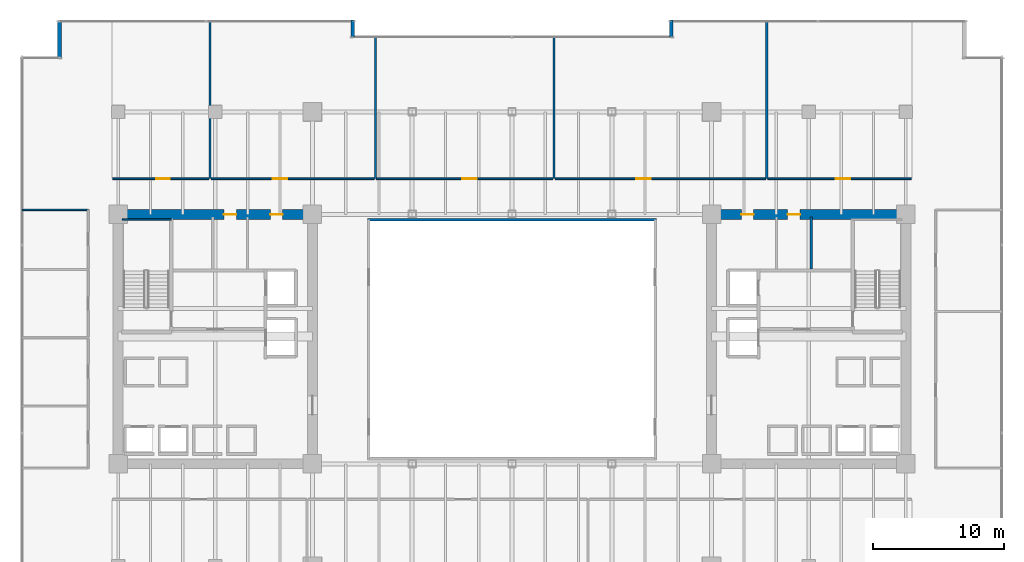
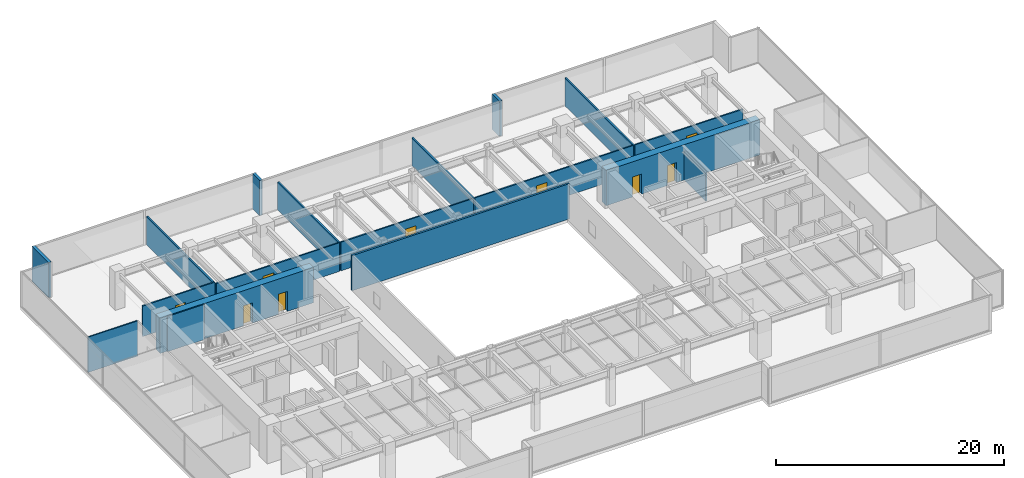
# One storey, part 31 of 36: 18 walls, 9 doors, 9 openings.
"""IFC4 building model written with IfcOpenShell, lengths in metres."""

from ifc_helpers import new_model, si_unit, direction, frame, frame_2d, origin, place, context, subcontext, project, spatial, rectangle, extrude, source, transform, mapped, material, layer, layer_set, type_object, type_shapes, element, fill, save


model = new_model("IFC4")

# Units and contexts
model_context = context("Model", 3, precision=1e-05, world=origin(), true_north=direction((0.0, 1.0)))
body_context = subcontext(model_context, "Body", "Model", "MODEL_VIEW")
ifc_project = project(units=[si_unit("LENGTHUNIT", "METRE"), si_unit("AREAUNIT", "SQUARE_METRE"), si_unit("VOLUMEUNIT", "CUBIC_METRE"), si_unit("PLANEANGLEUNIT", "RADIAN"), si_unit("MASSUNIT", "GRAM", prefix="KILO")], contexts=[model_context])

# Site, building, storey
site_placement = place(None, origin())
site = spatial("IfcSite", under=ifc_project, at=site_placement, CompositionType="ELEMENT")
building_placement = place(site_placement, origin())
building = spatial("IfcBuilding", under=site, at=building_placement, Name="Haelvirn Gate Laboratories", CompositionType="ELEMENT")
storey_placement = place(building_placement, frame((0.0, 0.0, 53.89990234375)))
storey = spatial("IfcBuildingStorey", under=building, at=storey_placement, Name="L13", CompositionType="ELEMENT", Elevation=53.89990234375)

# Walls
ifc_material_1 = material(Name="Thermally-broken bronze aluminium rainscreen & mineral wool", Category="aluminium")
ifc_layer_1 = layer(ifc_material_1, 0.280029296875, Name="EW-TERR-280")
ifc_layer_set_1 = layer_set([ifc_layer_1], Name="Thermally-broken bronze aluminium rainscreen & mineral wool")
wall_type_1 = type_object("IfcWallType", Name="EW-TERR-280", PredefinedType="STANDARD", material=ifc_layer_set_1)
for number, where, z_axis, x_axis, name in (
    (1, (49.5400390625, 48.60009765625, 0.0), (0.0, 0.0, 1.0), (0.0, -1.0, 0.0), "L13 Atrium Recess Bronze Return Wall 11"),
    (2, (25.260009765625, 47.31201171875, 0.0), (0.0, 0.0, 1.0), (0.0, 1.0, 0.0), "L13 Atrium Recess Bronze Return Wall 13"),
):
    element("IfcWall", number, at=place(storey_placement, frame(where, z_axis=z_axis, x_axis=x_axis)), inside=storey, type_object=wall_type_1, Name=name, PredefinedType="STANDARD", context=body_context, shape_type="SweptSolid", body=[
        extrude(rectangle(XDim=1.2880859375, YDim=0.280029296875, at=frame_2d((0.64404296875, 0.0))), origin(), (0.0, 0.0, 1.0), 3.780029296875),
    ])
wall_1_placement = place(storey_placement, frame((2.93994140625, 48.60009765625, 0.0), z_axis=(0.0, 0.0, 1.0), x_axis=(0.0, -1.0, 0.0)))
element("IfcWall", 3, at=wall_1_placement, inside=storey, type_object=wall_type_1, Name="L13 Atrium Recess Bronze Return Wall 15", PredefinedType="STANDARD", context=body_context, shape_type="SweptSolid", body=[
    extrude(rectangle(XDim=2.88818359375, YDim=0.280029296875, at=frame_2d((1.444091796875, 0.0))), origin(), (0.0, 0.0, 1.0), 3.780029296875),
])
ifc_material_2 = material(Name="Double-layer acoustic gypsum laboratory partition", Category="gypsum")
ifc_layer_2 = layer(ifc_material_2, 0.159912109375, Name="IW-ACOUST-160")
ifc_layer_set_2 = layer_set([ifc_layer_2], Name="Double-layer acoustic gypsum laboratory partition")
wall_type_2 = type_object("IfcWallType", Name="IW-ACOUST-160", PredefinedType="PARTITIONING", material=ifc_layer_set_2)
wall_2_placement = place(storey_placement, frame((14.39990234375, 36.510009765625, 0.0), z_axis=(0.0, 0.0, 1.0), x_axis=(0.0, 1.0, 0.0)))
element("IfcWall", 4, at=wall_2_placement, inside=storey, type_object=wall_type_2, Name="L13 Interior Wall IW-L13-NDIV-01", PredefinedType="PARTITIONING", context=body_context, shape_type="SweptSolid", body=[
    extrude(rectangle(XDim=11.97998046875, YDim=0.159912109375, at=frame_2d((5.989990234375, 0.0))), origin(), (0.0, 0.0, 1.0), 3.01513671875),
])
for number, where, z_axis, x_axis, name in (
    (5, (27.0, 36.510009765625, 0.0), (0.0, 0.0, 1.0), (0.0, 1.0, 0.0), "L13 Interior Wall IW-L13-NDIV-02"),
    (6, (40.60009765625, 36.510009765625, 0.0), (0.0, 0.0, 1.0), (0.0, 1.0, 0.0), "L13 Interior Wall IW-L13-NDIV-03"),
):
    element("IfcWall", number, at=place(storey_placement, frame(where, z_axis=z_axis, x_axis=x_axis)), inside=storey, type_object=wall_type_2, Name=name, PredefinedType="PARTITIONING", context=body_context, shape_type="SweptSolid", body=[
        extrude(rectangle(XDim=10.780029296875, YDim=0.159912109375, at=frame_2d((5.39013671875, 0.0))), origin(), (0.0, 0.0, 1.0), 3.01513671875),
    ])
wall_3_placement = place(storey_placement, frame((56.800048828125, 36.510009765625, 0.0), z_axis=(0.0, 0.0, 1.0), x_axis=(0.0, 1.0, 0.0)))
element("IfcWall", 7, at=wall_3_placement, inside=storey, type_object=wall_type_2, Name="L13 Interior Wall IW-L13-NDIV-04", PredefinedType="PARTITIONING", context=body_context, shape_type="SweptSolid", body=[
    extrude(rectangle(XDim=11.97998046875, YDim=0.159912109375, at=frame_2d((5.989990234375, 0.0))), origin(), (0.0, 0.0, 1.0), 3.01513671875),
])
ifc_material_3 = material(Name="Tempered fire-rated borosilicate glass & anodised aluminium", Category="aluminium")
ifc_layer_3 = layer(ifc_material_3, 0.195068359375, Name="IW-GLAZ-200")
ifc_layer_set_3 = layer_set([ifc_layer_3], Name="Tempered fire-rated borosilicate glass & anodised aluminium")
wall_type_3 = type_object("IfcWallType", Name="IW-GLAZ-200", PredefinedType="SOLIDWALL", material=ifc_layer_set_3)
wall_4_placement = place(storey_placement, frame((26.39990234375, 33.39990234375, 0.0), z_axis=(0.0, 0.0, 1.0), x_axis=(1.0, 0.0, 0.0)))
element("IfcWall", 8, at=wall_4_placement, inside=storey, type_object=wall_type_3, Name="L13 Interior Wall IW-L13-ATRIUM-N", PredefinedType="SOLIDWALL", context=body_context, shape_type="SweptSolid", body=[
    extrude(rectangle(XDim=22.0, YDim=0.195068359375, at=frame_2d((11.0, 0.0))), origin(), (0.0, 0.0, 1.0), 3.780029296875),
])
ifc_material_4 = material(Name="Lightweight acoustic gypsum board partition", Category="gypsum")
ifc_layer_4 = layer(ifc_material_4, 0.1201171875, Name="IW-PART-120")
ifc_layer_set_4 = layer_set([ifc_layer_4], Name="Lightweight acoustic gypsum board partition")
wall_type_4 = type_object("IfcWallType", Name="IW-PART-120", PredefinedType="PARTITIONING", material=ifc_layer_set_4)
wall_5_placement = place(storey_placement, frame((0.110107421875, 34.135009765625, 0.0), z_axis=(0.0, 0.0, 1.0), x_axis=(1.0, 0.0, 0.0)))
element("IfcWall", 9, at=wall_5_placement, inside=storey, type_object=wall_type_4, Name="L13 Interior Wall IW-L13-WCAP-N", PredefinedType="PARTITIONING", context=body_context, shape_type="SweptSolid", body=[
    extrude(rectangle(XDim=5.019775390625, YDim=0.1201171875, at=frame_2d((2.509765625, 0.0))), origin(), (0.0, 0.0, 1.0), 3.780029296875),
])

# Wall, opening, door
ifc_material_5 = material(Name="Acoustic mineral-wool gypsum board partition", Category="gypsum")
ifc_layer_5 = layer(ifc_material_5, 0.139892578125, Name="IW-PART-140")
ifc_layer_set_5 = layer_set([ifc_layer_5], Name="Acoustic mineral-wool gypsum board partition")
wall_type_5 = type_object("IfcWallType", Name="IW-PART-140", PredefinedType="PARTITIONING", material=ifc_layer_set_5)
wall_6_placement = place(storey_placement, frame((6.97998046875, 36.510009765625, 0.0), z_axis=(0.0, 0.0, 1.0), x_axis=(1.0, 0.0, 0.0)))
wall_6 = element("IfcWall", 10, at=wall_6_placement, inside=storey, type_object=wall_type_5, Name="L13 Interior Wall IW-L13-NCORR-01", PredefinedType="PARTITIONING", context=body_context, shape_type="SweptSolid", body=[
    extrude(rectangle(XDim=7.340087890625, YDim=0.139892578125, at=frame_2d((3.669921875, 0.0))), origin(), (0.0, 0.0, 1.0), 3.26513671875),
])
opening_1_placement = place(wall_6_placement, frame((3.339111328125, 0.0, 0.0)))
opening_1 = element("IfcOpeningElement", 11, at=opening_1_placement, cuts=wall_6, Name="Opening D2", PredefinedType="OPENING", context=body_context, shape_type="SweptSolid", body=[
    extrude(rectangle(XDim=1.0, YDim=2.14990234375, at=frame_2d((0.5, 1.074951171875))), frame((0.0, 0.080078125, 0.0), z_axis=(0.0, -1.0, 0.0), x_axis=(1.0, 0.0, 0.0)), (0.0, 0.0, 1.0), 0.159912109375),
])
ifc_material_6 = material(Name="Acoustic solid-core timber suite door", Category="wood")
door_type_1 = type_object("IfcDoorType", Name="DR-INT-1000", OperationType="NOTDEFINED", PredefinedType="DOOR", material=ifc_material_6)
shared_shape_1 = source(origin(), body_context, "Body", "SweptSolid", [
    extrude(rectangle(XDim=1.0, YDim=2.14990234375, at=frame_2d((0.5, 1.074951171875))), frame((0.0, 0.02490234375, 0.0), z_axis=(0.0, -1.0, 0.0), x_axis=(1.0, 0.0, 0.0)), (0.0, 0.0, 1.0), 0.050048828125),
])
type_shapes(door_type_1, [shared_shape_1])
door_1_placement = place(opening_1_placement, origin())
door_1 = element("IfcDoor", 12, at=door_1_placement, inside=storey, type_object=door_type_1, Name="L13 Floor Hydration & Tea Servery Door N1", OperationType="SINGLE_SWING_LEFT", OverallHeight=2.14990234375, OverallWidth=1.0, PredefinedType="DOOR", context=body_context, shape_type="MappedRepresentation", body=[
    mapped(shared_shape_1, transform((0.0, 0.0, 0.0), scale=1.0)),
])
fill(opening_1, door_1)

wall_7_placement = place(storey_placement, frame((14.47998046875, 36.510009765625, 0.0), z_axis=(0.0, 0.0, 1.0), x_axis=(1.0, 0.0, 0.0)))
wall_7 = element("IfcWall", 13, at=wall_7_placement, inside=storey, type_object=wall_type_5, Name="L13 Interior Wall IW-L13-NCORR-02", PredefinedType="PARTITIONING", context=body_context, shape_type="SweptSolid", body=[
    extrude(rectangle(XDim=12.43994140625, YDim=0.139892578125, at=frame_2d((6.219970703125, 0.0))), origin(), (0.0, 0.0, 1.0), 3.065185546875),
])
opening_2_placement = place(wall_7_placement, frame((4.71240234375, 0.0, 0.0)))
opening_2 = element("IfcOpeningElement", 14, at=opening_2_placement, cuts=wall_7, Name="Opening D1", PredefinedType="OPENING", context=body_context, shape_type="SweptSolid", body=[
    extrude(rectangle(XDim=1.10009765625, YDim=2.179931640625, at=frame_2d((0.550048828125, 1.08984375))), frame((0.0, 0.080078125, 0.0), z_axis=(0.0, -1.0, 0.0), x_axis=(1.0, 0.0, 0.0)), (0.0, 0.0, 1.0), 0.159912109375),
])
ifc_material_7 = material(Name="Vision-panel acoustic solid-core timber lab door", Category="wood")
door_type_2 = type_object("IfcDoorType", Name="DR-LAB-1100", OperationType="NOTDEFINED", PredefinedType="DOOR", material=ifc_material_7)
shared_shape_2 = source(origin(), body_context, "Body", "SweptSolid", [
    extrude(rectangle(XDim=1.10009765625, YDim=2.179931640625, at=frame_2d((0.550048828125, 1.08984375))), frame((0.0, 0.02490234375, 0.0), z_axis=(0.0, -1.0, 0.0), x_axis=(1.0, 0.0, 0.0)), (0.0, 0.0, 1.0), 0.050048828125),
])
type_shapes(door_type_2, [shared_shape_2])
door_2_placement = place(opening_2_placement, origin())
door_2 = element("IfcDoor", 15, at=door_2_placement, inside=storey, type_object=door_type_2, Name="L13 Occupational Biosafety Clinic Door N2", OperationType="SINGLE_SWING_RIGHT", OverallHeight=2.179931640625, OverallWidth=1.10009765625, PredefinedType="DOOR", context=body_context, shape_type="MappedRepresentation", body=[
    mapped(shared_shape_2, transform((0.0, 0.0, 0.0), scale=1.0)),
])
fill(opening_2, door_2)

wall_8_placement = place(storey_placement, frame((27.080078125, 36.510009765625, 0.0), z_axis=(0.0, 0.0, 1.0), x_axis=(1.0, 0.0, 0.0)))
wall_8 = element("IfcWall", 16, at=wall_8_placement, inside=storey, type_object=wall_type_5, Name="L13 Interior Wall IW-L13-NCORR-03", PredefinedType="PARTITIONING", context=body_context, shape_type="SweptSolid", body=[
    extrude(rectangle(XDim=13.43994140625, YDim=0.139892578125, at=frame_2d((6.719970703125, 0.0))), origin(), (0.0, 0.0, 1.0), 3.065185546875),
])
opening_3_placement = place(wall_8_placement, frame((6.519287109375, 0.0, 0.0)))
opening_3 = element("IfcOpeningElement", 17, at=opening_3_placement, cuts=wall_8, Name="Opening D1", PredefinedType="OPENING", context=body_context, shape_type="SweptSolid", body=[
    extrude(rectangle(XDim=1.10009765625, YDim=2.179931640625, at=frame_2d((0.550048828125, 1.08984375))), frame((0.0, 0.080078125, 0.0), z_axis=(0.0, -1.0, 0.0), x_axis=(1.0, 0.0, 0.0)), (0.0, 0.0, 1.0), 0.159912109375),
])
door_3_placement = place(opening_3_placement, origin())
door_3 = element("IfcDoor", 18, at=door_3_placement, inside=storey, type_object=door_type_2, Name="L13 Laser-Safety Consult Room Door N3", OperationType="SINGLE_SWING_LEFT", OverallHeight=2.179931640625, OverallWidth=1.10009765625, PredefinedType="DOOR", context=body_context, shape_type="MappedRepresentation", body=[
    mapped(shared_shape_2, transform((0.0, 0.0, 0.0), scale=1.0)),
])
fill(opening_3, door_3)

wall_9_placement = place(storey_placement, frame((40.679931640625, 36.510009765625, 0.0), z_axis=(0.0, 0.0, 1.0), x_axis=(1.0, 0.0, 0.0)))
wall_9 = element("IfcWall", 19, at=wall_9_placement, inside=storey, type_object=wall_type_5, Name="L13 Interior Wall IW-L13-NCORR-04", PredefinedType="PARTITIONING", context=body_context, shape_type="SweptSolid", body=[
    extrude(rectangle(XDim=16.0400390625, YDim=0.139892578125, at=frame_2d((8.02001953125, 0.0))), origin(), (0.0, 0.0, 1.0), 3.065185546875),
])
opening_4_placement = place(wall_9_placement, frame((6.1884765625, 0.0, 0.0)))
opening_4 = element("IfcOpeningElement", 20, at=opening_4_placement, cuts=wall_9, Name="Opening D1", PredefinedType="OPENING", context=body_context, shape_type="SweptSolid", body=[
    extrude(rectangle(XDim=1.10009765625, YDim=2.179931640625, at=frame_2d((0.550048828125, 1.08984375))), frame((0.0, 0.080078125, 0.0), z_axis=(0.0, -1.0, 0.0), x_axis=(1.0, 0.0, 0.0)), (0.0, 0.0, 1.0), 0.159912109375),
])
door_4_placement = place(opening_4_placement, origin())
door_4 = element("IfcDoor", 21, at=door_4_placement, inside=storey, type_object=door_type_2, Name="L13 Translational Data Office Door N4", OperationType="SINGLE_SWING_RIGHT", OverallHeight=2.179931640625, OverallWidth=1.10009765625, PredefinedType="DOOR", context=body_context, shape_type="MappedRepresentation", body=[
    mapped(shared_shape_2, transform((0.0, 0.0, 0.0), scale=1.0)),
])
fill(opening_4, door_4)

wall_10_placement = place(storey_placement, frame((56.8798828125, 36.510009765625, 0.0), z_axis=(0.0, 0.0, 1.0), x_axis=(1.0, 0.0, 0.0)))
wall_10 = element("IfcWall", 22, at=wall_10_placement, inside=storey, type_object=wall_type_5, Name="L13 Interior Wall IW-L13-NCORR-05", PredefinedType="PARTITIONING", context=body_context, shape_type="SweptSolid", body=[
    extrude(rectangle(XDim=10.940185546875, YDim=0.139892578125, at=frame_2d((5.47021484375, 0.0))), origin(), (0.0, 0.0, 1.0), 3.065185546875),
])
opening_5_placement = place(wall_10_placement, frame((5.194091796875, 0.0, 0.0)))
opening_5 = element("IfcOpeningElement", 23, at=opening_5_placement, cuts=wall_10, Name="Opening D1", PredefinedType="OPENING", context=body_context, shape_type="SweptSolid", body=[
    extrude(rectangle(XDim=1.10009765625, YDim=2.179931640625, at=frame_2d((0.550048828125, 1.08984375))), frame((0.0, 0.080078125, 0.0), z_axis=(0.0, -1.0, 0.0), x_axis=(1.0, 0.0, 0.0)), (0.0, 0.0, 1.0), 0.159912109375),
])
door_5_placement = place(opening_5_placement, origin())
door_5 = element("IfcDoor", 24, at=door_5_placement, inside=storey, type_object=door_type_2, Name="L13 Computational Write-Up Office Door N5", OperationType="SINGLE_SWING_LEFT", OverallHeight=2.179931640625, OverallWidth=1.10009765625, PredefinedType="DOOR", context=body_context, shape_type="MappedRepresentation", body=[
    mapped(shared_shape_2, transform((0.0, 0.0, 0.0), scale=1.0)),
])
fill(opening_5, door_5)

# Wall
ifc_material_8 = material(Name="Cement-board restroom plumbing chase wall", Category="gypsum")
ifc_layer_6 = layer(ifc_material_8, 0.155029296875, Name="IW-PLUMB-160")
ifc_layer_set_6 = layer_set([ifc_layer_6], Name="Cement-board restroom plumbing chase wall")
wall_type_6 = type_object("IfcWallType", Name="IW-PLUMB-160", PredefinedType="PLUMBINGWALL", material=ifc_layer_set_6)
wall_11_placement = place(storey_placement, frame((60.18994140625, 29.64990234375, 0.0), z_axis=(0.0, 0.0, 1.0), x_axis=(0.0, 1.0, 0.0)))
element("IfcWall", 25, at=wall_11_placement, inside=storey, type_object=wall_type_6, Name="L13 Interior Wall IW-L13-E-CDIV-0", PredefinedType="PLUMBINGWALL", context=body_context, shape_type="SweptSolid", body=[
    extrude(rectangle(XDim=3.93017578125, YDim=0.155029296875, at=frame_2d((1.965087890625, 0.0))), origin(), (0.0, 0.0, 1.0), 3.065185546875),
])

# Wall, openings, doors
ifc_material_9 = material(Name="Concrete C70/85", Category="concrete")
ifc_layer_7 = layer(ifc_material_9, 0.75, Name="SW-CORE-750")
ifc_layer_set_7 = layer_set([ifc_layer_7], Name="Concrete C70/85")
wall_type_7 = type_object("IfcWallType", Name="SW-CORE-750", PredefinedType="SHEAR", material=ifc_layer_set_7)
wall_12_placement = place(storey_placement, frame((7.02490234375, 33.800048828125, 0.0), z_axis=(0.0, 0.0, 1.0), x_axis=(1.0, 0.0, 0.0)))
wall_12 = element("IfcWall", 26, at=wall_12_placement, inside=storey, type_object=wall_type_7, Name="L13 W Core Shear Wall N", PredefinedType="SHEAR", context=body_context, shape_type="SweptSolid", body=[
    extrude(rectangle(XDim=15.550048828125, YDim=0.75, at=frame_2d((7.77490234375, 0.0))), origin(), (0.0, 0.0, 1.0), 3.780029296875),
])
opening_6_placement = place(wall_12_placement, frame((8.425048828125, 0.0, 0.0)))
opening_6 = element("IfcOpeningElement", 27, at=opening_6_placement, cuts=wall_12, Name="Opening FD4", PredefinedType="OPENING", context=body_context, shape_type="SweptSolid", body=[
    extrude(rectangle(XDim=0.949951171875, YDim=2.14990234375, at=frame_2d((0.47509765625, 1.074951171875))), frame((0.0, 0.385009765625, 0.0), z_axis=(0.0, -1.0, 0.0), x_axis=(1.0, 0.0, 0.0)), (0.0, 0.0, 1.0), 0.77001953125),
])
opening_7_placement = place(wall_12_placement, frame((11.965087890625, 0.0, 0.0)))
opening_7 = element("IfcOpeningElement", 28, at=opening_7_placement, cuts=wall_12, Name="Opening FD4", PredefinedType="OPENING", context=body_context, shape_type="SweptSolid", body=[
    extrude(rectangle(XDim=0.949951171875, YDim=2.14990234375, at=frame_2d((0.47509765625, 1.074951171875))), frame((0.0, 0.385009765625, 0.0), z_axis=(0.0, -1.0, 0.0), x_axis=(1.0, 0.0, 0.0)), (0.0, 0.0, 1.0), 0.77001953125),
])
ifc_material_10 = material(Name="Fire-rated steel SM355 core service door", Category="steel")
door_type_3 = type_object("IfcDoorType", Name="DR-FD-950", OperationType="NOTDEFINED", PredefinedType="DOOR", material=ifc_material_10)
shared_shape_3 = source(origin(), body_context, "Body", "SweptSolid", [
    extrude(rectangle(XDim=0.949951171875, YDim=2.14990234375, at=frame_2d((0.47509765625, 1.074951171875))), frame((0.0, 0.02490234375, 0.0), z_axis=(0.0, -1.0, 0.0), x_axis=(1.0, 0.0, 0.0)), (0.0, 0.0, 1.0), 0.050048828125),
])
type_shapes(door_type_3, [shared_shape_3])
door_6_placement = place(opening_6_placement, origin())
door_6 = element("IfcDoor", 29, at=door_6_placement, inside=storey, type_object=door_type_3, Name="L13 Accessible Restroom Fire Door", OperationType="SINGLE_SWING_RIGHT", OverallHeight=2.14990234375, OverallWidth=0.949951171875, PredefinedType="DOOR", context=body_context, shape_type="MappedRepresentation", body=[
    mapped(shared_shape_3, transform((0.0, 0.0, 0.0), scale=1.0)),
])
fill(opening_6, door_6)
door_7_placement = place(opening_7_placement, origin())
door_7 = element("IfcDoor", 30, at=door_7_placement, inside=storey, type_object=door_type_3, Name="L13 Staff Restroom Fire Door", OperationType="SINGLE_SWING_LEFT", OverallHeight=2.14990234375, OverallWidth=0.949951171875, PredefinedType="DOOR", context=body_context, shape_type="MappedRepresentation", body=[
    mapped(shared_shape_3, transform((0.0, 0.0, 0.0), scale=1.0)),
])
fill(opening_7, door_7)

wall_13_placement = place(storey_placement, frame((52.22509765625, 33.800048828125, 0.0), z_axis=(0.0, 0.0, 1.0), x_axis=(1.0, 0.0, 0.0)))
wall_13 = element("IfcWall", 31, at=wall_13_placement, inside=storey, type_object=wall_type_7, Name="L13 E Core Shear Wall N", PredefinedType="SHEAR", context=body_context, shape_type="SweptSolid", body=[
    extrude(rectangle(XDim=15.5498046875, YDim=0.75, at=frame_2d((7.77490234375, 0.0))), origin(), (0.0, 0.0, 1.0), 3.780029296875),
])
opening_8_placement = place(wall_13_placement, frame((6.175048828125, 0.0, 0.0)))
opening_8 = element("IfcOpeningElement", 32, at=opening_8_placement, cuts=wall_13, Name="Opening FD4", PredefinedType="OPENING", context=body_context, shape_type="SweptSolid", body=[
    extrude(rectangle(XDim=0.949951171875, YDim=2.14990234375, at=frame_2d((0.47509765625, 1.074951171875))), frame((0.0, 0.385009765625, 0.0), z_axis=(0.0, -1.0, 0.0), x_axis=(1.0, 0.0, 0.0)), (0.0, 0.0, 1.0), 0.77001953125),
])
opening_9_placement = place(wall_13_placement, frame((2.635009765625, 0.0, 0.0)))
opening_9 = element("IfcOpeningElement", 33, at=opening_9_placement, cuts=wall_13, Name="Opening FD4", PredefinedType="OPENING", context=body_context, shape_type="SweptSolid", body=[
    extrude(rectangle(XDim=0.949951171875, YDim=2.14990234375, at=frame_2d((0.47509765625, 1.074951171875))), frame((0.0, 0.385009765625, 0.0), z_axis=(0.0, -1.0, 0.0), x_axis=(1.0, 0.0, 0.0)), (0.0, 0.0, 1.0), 0.77001953125),
])
door_8_placement = place(opening_8_placement, origin())
door_8 = element("IfcDoor", 34, at=door_8_placement, inside=storey, type_object=door_type_3, Name="L13 Accessible Restroom Fire Door", OperationType="SINGLE_SWING_RIGHT", OverallHeight=2.14990234375, OverallWidth=0.949951171875, PredefinedType="DOOR", context=body_context, shape_type="MappedRepresentation", body=[
    mapped(shared_shape_3, transform((0.0, 0.0, 0.0), scale=1.0)),
])
fill(opening_8, door_8)
door_9_placement = place(opening_9_placement, origin())
door_9 = element("IfcDoor", 35, at=door_9_placement, inside=storey, type_object=door_type_3, Name="L13 Staff Restroom Fire Door", OperationType="SINGLE_SWING_LEFT", OverallHeight=2.14990234375, OverallWidth=0.949951171875, PredefinedType="DOOR", context=body_context, shape_type="MappedRepresentation", body=[
    mapped(shared_shape_3, transform((0.0, 0.0, 0.0), scale=1.0)),
])
fill(opening_9, door_9)

# Wall
ifc_material_11 = material(Name="Concrete C50/60", Category="concrete")
ifc_layer_8 = layer(ifc_material_11, 0.1201171875, Name="SW-LINER-120")
ifc_layer_set_8 = layer_set([ifc_layer_8], Name="Concrete C50/60")
wall_type_8 = type_object("IfcWallType", Name="SW-LINER-120", PredefinedType="SOLIDWALL", material=ifc_layer_set_8)
wall_14_placement = place(storey_placement, frame((7.72998046875, 33.39990234375, 0.0), z_axis=(0.0, 0.0, 1.0), x_axis=(1.0, 0.0, 0.0)))
element("IfcWall", 36, at=wall_14_placement, inside=storey, type_object=wall_type_8, Name="L13 W Core Stair Shaft Liner Wall N", PredefinedType="SOLIDWALL", context=body_context, shape_type="SweptSolid", body=[
    extrude(rectangle(XDim=3.719970703125, YDim=0.1201171875, at=frame_2d((1.85986328125, 0.0))), origin(), (0.0, 0.0, 1.0), 3.780029296875),
])

save(model, "model.ifc")
